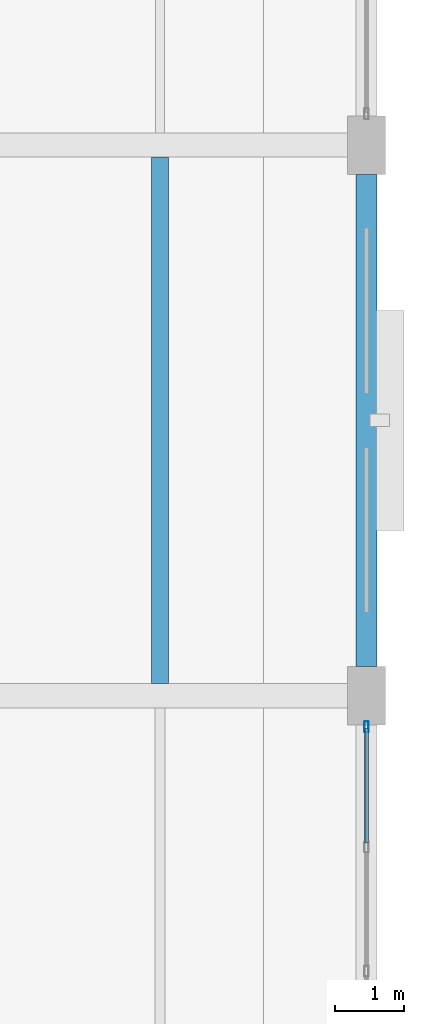
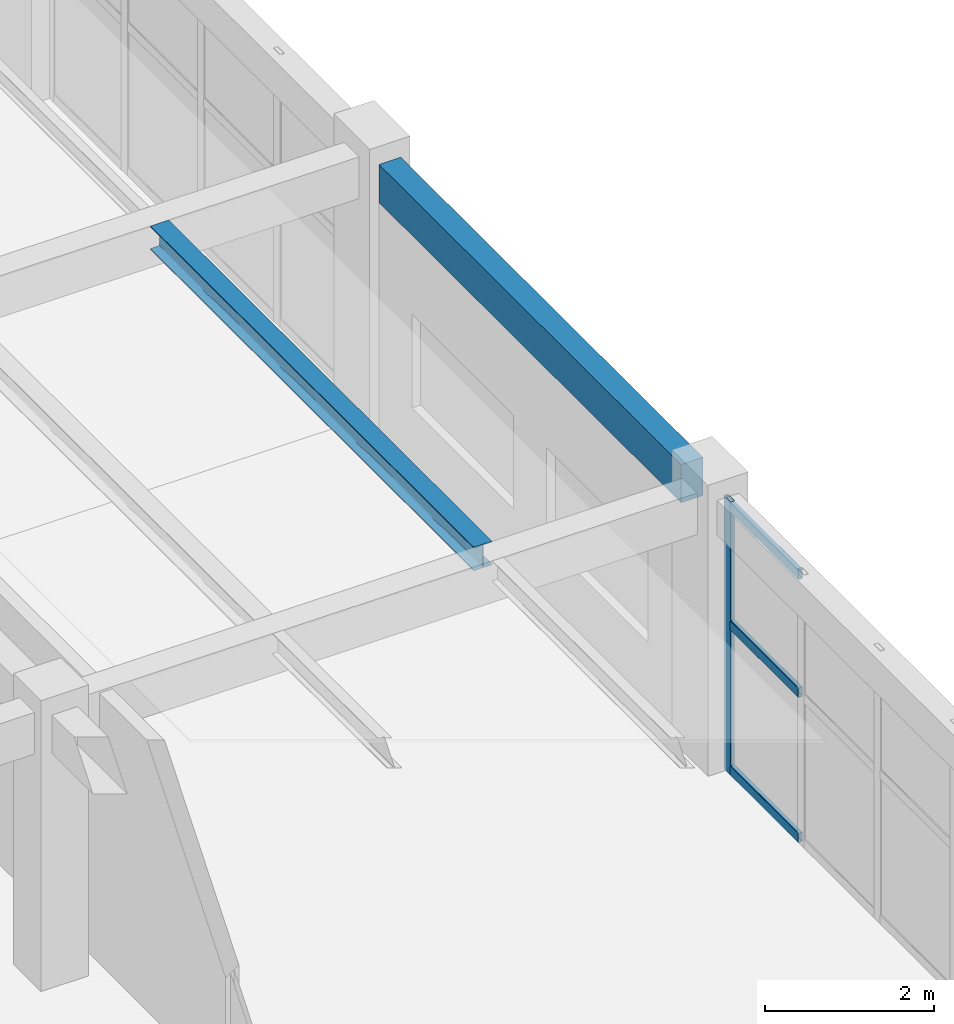
# One storey, part 28 of 71: 4 members, 2 beams, 1 element without a shape of its own.
"""IFC4 building model written with IfcOpenShell, lengths in metres."""

from ifc_helpers import new_model, si_unit, derived_unit, direction, frame, origin, origin_2d, place, context, subcontext, project, spatial, rectangle, hollow_rectangle, i_section, extrude, material, material_profile, profile_set, type_object, element, aggregate, save


model = new_model("IFC4")

# Units and contexts
model_context = context("Model", 3, precision=1e-05, world=origin(), true_north=direction((0.0, 1.0)))
body_context = subcontext(model_context, "Body", "Model", "MODEL_VIEW")
ifc_project = project(units=[si_unit("LENGTHUNIT", "METRE"), si_unit("AREAUNIT", "SQUARE_METRE"), si_unit("VOLUMEUNIT", "CUBIC_METRE"), si_unit("PLANEANGLEUNIT", "RADIAN"), si_unit("MASSUNIT", "GRAM", prefix="KILO"), derived_unit("THERMALTRANSMITTANCEUNIT", [(si_unit("MASSUNIT", "GRAM", prefix="KILO"), 1), (si_unit("TIMEUNIT", "SECOND"), -3), (si_unit("THERMODYNAMICTEMPERATUREUNIT", "KELVIN"), -1)])], contexts=[model_context])

# Site, building, storey
site_placement = place(None, origin())
site = spatial("IfcSite", under=ifc_project, at=site_placement, CompositionType="ELEMENT")
building_placement = place(site_placement, origin())
building = spatial("IfcBuilding", under=site, at=building_placement, Name="Zhenchuan Archway Interchange", CompositionType="ELEMENT")
storey_placement = place(building_placement, frame((0.0, 0.0, 18.60009765625)))
storey = spatial("IfcBuildingStorey", under=building, at=storey_placement, Name="L04", CompositionType="ELEMENT", Elevation=18.60009765625)

# Curtain wall, members
ifc_material_1 = material(Name="Anodised Aluminium", Category="aluminium")
curtain_wall_type = type_object("IfcCurtainWallType", Name="CW_UNIT_3", PredefinedType="NOTDEFINED", material=ifc_material_1)
curtain_wall_placement = place(storey_placement, origin())
curtain_wall = element("IfcCurtainWall", 1, at=curtain_wall_placement, inside=storey, type_object=curtain_wall_type, Name="Unitised curtain wall CW:L04:198", PredefinedType="NOTDEFINED")
ifc_material_profile_1 = material_profile(ifc_material_1, hollow_rectangle(XDim=0.06005859375, YDim=0.159912109375, WallThickness=0.00390625, InnerFilletRadius=0.00390625, OuterFilletRadius=0.008056640625, at=origin_2d()), Name="ALU 160x60x4")
ifc_profile_set_1 = profile_set([ifc_material_profile_1], Name="Anodised Aluminium")
member_type_1 = type_object("IfcMemberType", Name="CW_MUL_150", PredefinedType="MULLION", material=ifc_profile_set_1)
member_1_placement = place(storey_placement, frame((171.0, 31.547119140625, 0.0), z_axis=(0.0, 0.0, 1.0), x_axis=(1.0, 0.0, 0.0)))
member_1 = element("IfcMember", 2, at=member_1_placement, type_object=member_type_1, Name="CW:L04:198 mullion 0", PredefinedType="MULLION", context=body_context, shape_type="SweptSolid", body=[
    extrude(hollow_rectangle(XDim=0.06005859375, YDim=0.159912109375, WallThickness=0.00390625, InnerFilletRadius=0.00390625, OuterFilletRadius=0.008056640625, at=origin_2d()), origin(), (0.0, 0.0, 1.0), 3.93994140625),
])
ifc_material_profile_2 = material_profile(ifc_material_1, hollow_rectangle(XDim=0.06005859375, YDim=0.139892578125, WallThickness=0.00341796875, InnerFilletRadius=0.00341796875, OuterFilletRadius=0.007080078125, at=origin_2d()), Name="ALU 140x60x3.5")
ifc_profile_set_2 = profile_set([ifc_material_profile_2], Name="Anodised Aluminium")
member_type_2 = type_object("IfcMemberType", Name="CW_TRN_140", PredefinedType="USERDEFINED", material=ifc_profile_set_2)
member_2_placement = place(storey_placement, frame((171.0, 31.527099609375, 0.059814453125), z_axis=(0.0, -1.0, 0.0), x_axis=(1.0, 0.0, 0.0)))
member_2 = element("IfcMember", 3, at=member_2_placement, type_object=member_type_2, Name="CW:L04:198 transom 0-1", ObjectType="TRANSOM", PredefinedType="USERDEFINED", context=body_context, shape_type="SweptSolid", body=[
    extrude(hollow_rectangle(XDim=0.06005859375, YDim=0.139892578125, WallThickness=0.00341796875, InnerFilletRadius=0.00341796875, OuterFilletRadius=0.007080078125, at=origin_2d()), origin(), (0.0, 0.0, 1.0), 1.66357421875),
])
member_3_placement = place(storey_placement, frame((171.0, 31.527099609375, 2.156005859375), z_axis=(0.0, -1.0, 0.0), x_axis=(1.0, 0.0, 0.0)))
member_3 = element("IfcMember", 4, at=member_3_placement, type_object=member_type_2, Name="CW:L04:198 transom 0-2", ObjectType="TRANSOM", PredefinedType="USERDEFINED", context=body_context, shape_type="SweptSolid", body=[
    extrude(hollow_rectangle(XDim=0.06005859375, YDim=0.139892578125, WallThickness=0.00341796875, InnerFilletRadius=0.00341796875, OuterFilletRadius=0.007080078125, at=origin_2d()), origin(), (0.0, 0.0, 1.0), 1.66357421875),
])
member_4_placement = place(storey_placement, frame((171.0, 31.527099609375, 3.85986328125), z_axis=(0.0, -1.0, 0.0), x_axis=(1.0, 0.0, 0.0)))
member_4 = element("IfcMember", 5, at=member_4_placement, type_object=member_type_2, Name="CW:L04:198 transom 0-3", ObjectType="TRANSOM", PredefinedType="USERDEFINED", context=body_context, shape_type="SweptSolid", body=[
    extrude(hollow_rectangle(XDim=0.06005859375, YDim=0.139892578125, WallThickness=0.00341796875, InnerFilletRadius=0.00341796875, OuterFilletRadius=0.007080078125, at=origin_2d()), origin(), (0.0, 0.0, 1.0), 1.66357421875),
])
aggregate(curtain_wall, [member_1, member_2, member_3, member_4])

# Beams
ifc_material_2 = material(Name="Steel Q355", Category="steel")
ifc_material_profile_3 = material_profile(ifc_material_2, i_section(OverallWidth=0.25, OverallDepth=0.340087890625, WebThickness=0.009033203125, FlangeThickness=0.013916015625, FilletRadius=0.01806640625, at=origin_2d()), Name="HM 340x250")
ifc_profile_set_3 = profile_set([ifc_material_profile_3], Name="Steel Q355")
beam_type_1 = type_object("IfcBeamType", Name="JST_STL_HM340", PredefinedType="JOIST", material=ifc_profile_set_3)
beam_1_placement = place(storey_placement, frame((168.0, 32.175048828125, 3.77001953125), z_axis=(0.0, 1.0, 0.0), x_axis=(-1.0, 0.0, 0.0)))
element("IfcBeam", 6, at=beam_1_placement, inside=storey, type_object=beam_type_1, Name="Secondary joist 19-20/E-F #2 (L04)", PredefinedType="JOIST", context=body_context, shape_type="SweptSolid", body=[
    extrude(i_section(OverallWidth=0.25, OverallDepth=0.340087890625, WebThickness=0.009033203125, FlangeThickness=0.013916015625, FilletRadius=0.01806640625, at=origin_2d()), origin(), (0.0, 0.0, 1.0), 7.64990234375),
])
ifc_material_3 = material(Name="Concrete C40", Category="concrete")
ifc_material_profile_4 = material_profile(ifc_material_3, rectangle(XDim=0.300048828125, YDim=0.550048828125, at=origin_2d()), Name="RC 300x550")
ifc_profile_set_4 = profile_set([ifc_material_profile_4], Name="Concrete C40")
beam_type_2 = type_object("IfcBeamType", Name="SP_RC_300x550", PredefinedType="SPANDREL", material=ifc_profile_set_4)
beam_2_placement = place(storey_placement, frame((171.0, 32.425048828125, 3.664794921875), z_axis=(0.0, 1.0, 0.0), x_axis=(-1.0, 0.0, 0.0)))
element("IfcBeam", 7, at=beam_2_placement, inside=storey, type_object=beam_type_2, Name="Beam 20:E-F (L04)", PredefinedType="SPANDREL", context=body_context, shape_type="SweptSolid", body=[
    extrude(rectangle(XDim=0.300048828125, YDim=0.550048828125, at=origin_2d()), origin(), (0.0, 0.0, 1.0), 7.14990234375),
])

save(model, "model.ifc")
